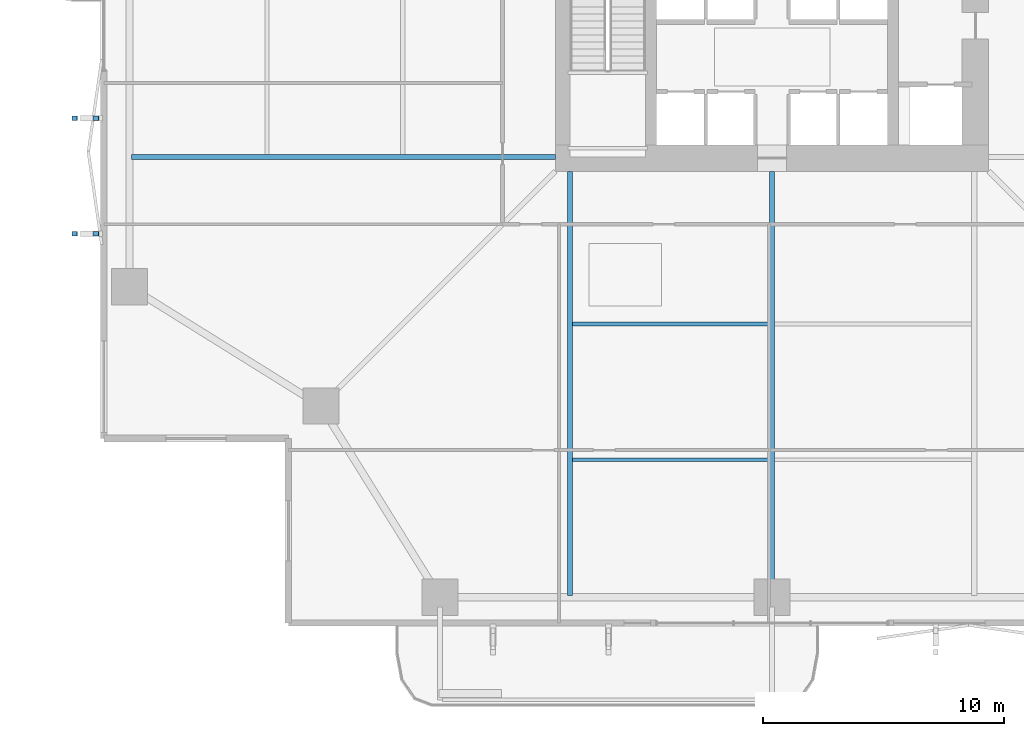
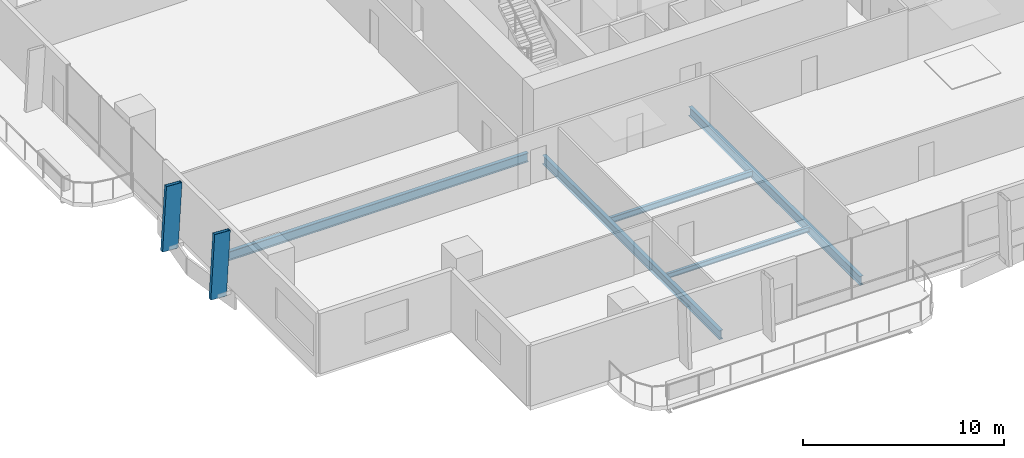
# One storey, part 3 of 23: 5 beams, 2 members.
"""IFC4 building model written with IfcOpenShell, lengths in metres."""

from ifc_helpers import new_model, si_unit, direction, frame, origin, origin_2d, place, context, subcontext, project, spatial, hollow_rectangle, i_section, extrude, material, material_profile, profile_set, type_object, element, save


model = new_model("IFC4")

# Units and contexts
model_context = context("Model", 3, precision=1e-05, world=origin(), true_north=direction((0.0, 1.0)))
body_context = subcontext(model_context, "Body", "Model", "MODEL_VIEW")
ifc_project = project(units=[si_unit("LENGTHUNIT", "METRE"), si_unit("AREAUNIT", "SQUARE_METRE"), si_unit("VOLUMEUNIT", "CUBIC_METRE"), si_unit("PLANEANGLEUNIT", "RADIAN"), si_unit("MASSUNIT", "GRAM", prefix="KILO")], contexts=[model_context])

# Site, building, storey
site_placement = place(None, origin())
site = spatial("IfcSite", under=ifc_project, at=site_placement, CompositionType="ELEMENT")
building_placement = place(site_placement, origin())
building = spatial("IfcBuilding", under=site, at=building_placement, Name="Belovzor Exchange Tower", CompositionType="ELEMENT")
storey_placement = place(building_placement, frame((0.0, 0.0, 88.5)))
storey = spatial("IfcBuildingStorey", under=building, at=storey_placement, Name="L21", CompositionType="ELEMENT", Elevation=88.5)

# Beams
ifc_material_1 = material(Name="Steel S355", Category="steel")
ifc_material_profile_1 = material_profile(ifc_material_1, i_section(OverallWidth=0.169921875, OverallDepth=0.360107421875, WebThickness=0.008056640625, FlangeThickness=0.0126953125, at=origin_2d()))
ifc_profile_set_1 = profile_set([ifc_material_profile_1], Name="Steel S355")
beam_type_1 = type_object("IfcBeamType", Name="Secondary Infill Floor Joist IPE 360", PredefinedType="BEAM", material=ifc_profile_set_1)
beam_1_placement = place(storey_placement, frame((20.5048828125, 13.455078125, -0.429931640625), z_axis=(1.0, 0.0, 0.0), x_axis=(0.0, 1.0, 0.0)))
element("IfcBeam", 1, at=beam_1_placement, inside=storey, type_object=beam_type_1, Name="FJ-360 Secondary Infill Floor Joist IPE 360", PredefinedType="BEAM", context=body_context, shape_type="SweptSolid", body=[
    extrude(i_section(OverallWidth=0.169921875, OverallDepth=0.360107421875, WebThickness=0.008056640625, FlangeThickness=0.0126953125, at=origin_2d()), origin(), (0.0, 0.0, 1.0), 8.190185546875),
])
ifc_material_2 = material(Name="Steel S355", Category="steel")
ifc_material_profile_2 = material_profile(ifc_material_2, i_section(OverallWidth=0.14990234375, OverallDepth=0.300048828125, WebThickness=0.007080078125, FlangeThickness=0.0107421875, at=origin_2d()))
ifc_profile_set_2 = profile_set([ifc_material_profile_2], Name="Steel S355")
beam_type_2 = type_object("IfcBeamType", Name="Secondary Trim Floor Joist IPE 300", PredefinedType="BEAM", material=ifc_profile_set_2)
beam_2_placement = place(storey_placement, frame((20.5048828125, 7.81494140625, -0.39990234375), z_axis=(1.0, 0.0, 0.0), x_axis=(0.0, 1.0, 0.0)))
element("IfcBeam", 2, at=beam_2_placement, inside=storey, type_object=beam_type_2, Name="FJ-300 Secondary Trim Floor Joist IPE 300", PredefinedType="BEAM", context=body_context, shape_type="SweptSolid", body=[
    extrude(i_section(OverallWidth=0.14990234375, OverallDepth=0.300048828125, WebThickness=0.007080078125, FlangeThickness=0.0107421875, at=origin_2d()), origin(), (0.0, 0.0, 1.0), 8.190185546875),
])

# Members
ifc_material_3 = material(Name="Extruded Architectural Terracotta on Steel S355 Carrier", Category="masonry")
ifc_material_profile_3 = material_profile(ifc_material_3, hollow_rectangle(XDim=0.199951171875, YDim=0.89990234375, WallThickness=0.011962890625, at=origin_2d()))
ifc_profile_set_3 = profile_set([ifc_material_profile_3], Name="Extruded Architectural Terracotta on Steel S355 Carrier")
member_type = type_object("IfcMemberType", Name="Sweeping Terracotta Baguette Fin Assembly 1250", PredefinedType="USERDEFINED", material=ifc_profile_set_3)
for number, where, z_axis, x_axis, name in (
    (3, (0.14990234375, 17.199951171875, -0.25), (0.0576228887, 0.0, 0.998338420926), (0.0, 1.0, 0.0), "FIN-TC125 Terracotta Facade Fin L21 W1"),
    (4, (0.14990234375, 22.0, -0.25), (0.0576228887, 0.0, 0.998338420926), (0.0, 1.0, 0.0), "FIN-TC125 Terracotta Facade Fin L21 W2"),
):
    element("IfcMember", number, at=place(storey_placement, frame(where, z_axis=z_axis, x_axis=x_axis)), inside=storey, type_object=member_type, Name=name, ObjectType="FIN", PredefinedType="USERDEFINED", context=body_context, shape_type="SweptSolid", body=[
        extrude(hollow_rectangle(XDim=0.199951171875, YDim=0.89990234375, WallThickness=0.011962890625, at=origin_2d()), origin(), (0.0, 0.0, 1.0), 3.906494140625),
    ])

# Beams
ifc_material_4 = material(Name="Steel S355", Category="steel")
ifc_material_profile_4 = material_profile(ifc_material_4, i_section(OverallWidth=0.2099609375, OverallDepth=0.550048828125, WebThickness=0.010986328125, FlangeThickness=0.01708984375, at=origin_2d()))
ifc_profile_set_4 = profile_set([ifc_material_profile_4], Name="Steel S355")
beam_type_3 = type_object("IfcBeamType", Name="Zone 1 Radial Composite Floor Beam IPE 550", PredefinedType="BEAM", material=ifc_profile_set_4)
beam_3_placement = place(storey_placement, frame((20.39990234375, 19.800048828125, -0.52490234375), z_axis=(0.0, -1.0, 0.0), x_axis=(1.0, 0.0, 0.0)))
element("IfcBeam", 5, at=beam_3_placement, inside=storey, type_object=beam_type_3, Name="FB-550 Zone 1 Radial Composite Floor Beam IPE 550", PredefinedType="BEAM", context=body_context, shape_type="SweptSolid", body=[
    extrude(i_section(OverallWidth=0.2099609375, OverallDepth=0.550048828125, WebThickness=0.010986328125, FlangeThickness=0.01708984375, at=origin_2d()), origin(), (0.0, 0.0, 1.0), 17.625),
])
beam_4_placement = place(storey_placement, frame((28.800048828125, 19.800048828125, -0.52490234375), z_axis=(0.0, -1.0, 0.0), x_axis=(1.0, 0.0, 0.0)))
element("IfcBeam", 6, at=beam_4_placement, inside=storey, type_object=beam_type_3, Name="FB-550 Zone 1 Radial Composite Floor Beam IPE 550", PredefinedType="BEAM", context=body_context, shape_type="SweptSolid", body=[
    extrude(i_section(OverallWidth=0.2099609375, OverallDepth=0.550048828125, WebThickness=0.010986328125, FlangeThickness=0.01708984375, at=origin_2d()), origin(), (0.0, 0.0, 1.0), 17.0400390625),
])
beam_5_placement = place(storey_placement, frame((19.800048828125, 20.39990234375, -0.52490234375), z_axis=(-1.0, 0.0, 0.0), x_axis=(0.0, -1.0, 0.0)))
element("IfcBeam", 7, at=beam_5_placement, inside=storey, type_object=beam_type_3, Name="FB-550 Zone 1 Radial Composite Floor Beam IPE 550", PredefinedType="BEAM", context=body_context, shape_type="SweptSolid", body=[
    extrude(i_section(OverallWidth=0.2099609375, OverallDepth=0.550048828125, WebThickness=0.010986328125, FlangeThickness=0.01708984375, at=origin_2d()), origin(), (0.0, 0.0, 1.0), 17.625),
])

save(model, "model.ifc")
